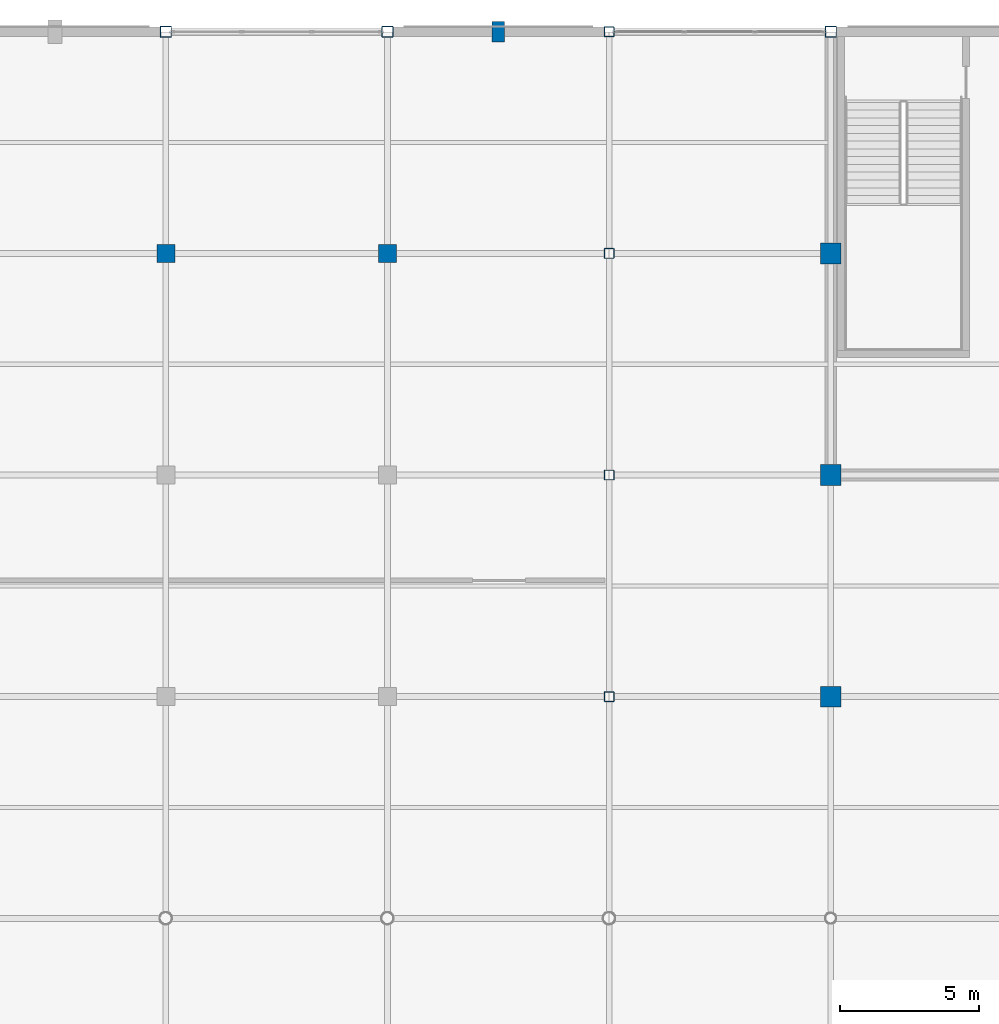
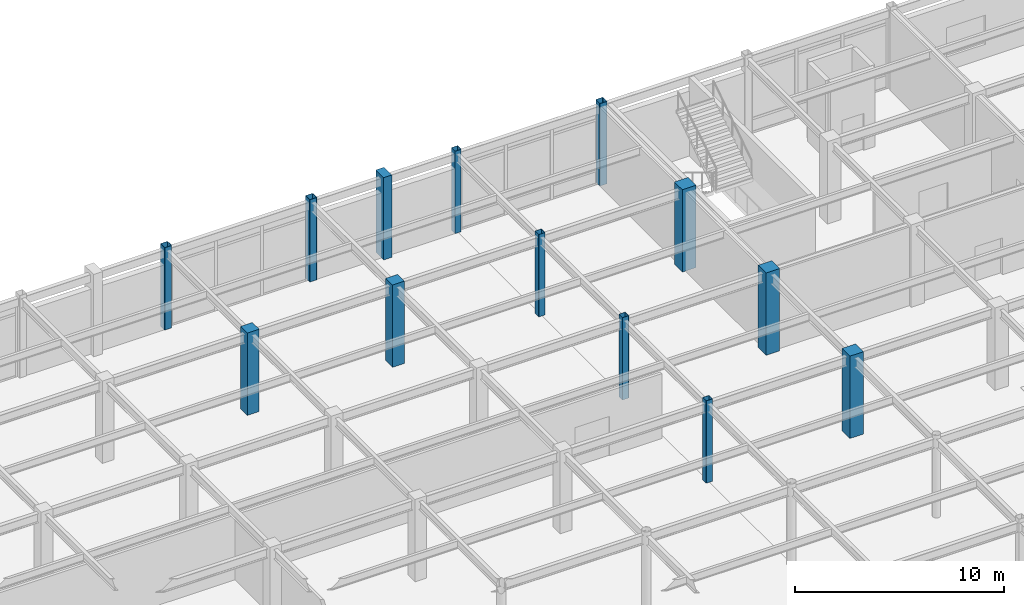
# One storey, part 16 of 117: 13 columns.
"""IFC4 building model written with IfcOpenShell, lengths in metres."""

import ifcopenshell
import ifcopenshell.guid

model = None  # the IFC model being written
_history = None  # IfcOwnerHistory: only IFC2X3 demands one
_inside = {}  # id of a spatial element -> (the spatial element, [elements in it])
_under = {}  # id of a project, library or spatial element -> (it, [spatial elements below it])
_declared = {}  # id of a project -> (the project, [libraries it declares])
_typed = {}  # id of a type object -> (the type object, [elements of that type])
_made_of = {}  # id of a material, layer set ... -> (it, [elements and type objects made of it])


def new_model(schema):
    """Start an empty IFC model of exactly this schema.

    Asked for "IFC4X3", IfcOpenShell would pick the latest addendum, in which some entities
    have other attributes; the version numbers below select the first issue.
    IFC2X3 requires an IfcOwnerHistory on every rooted entity: one is made here for all.
    """
    global model, _history
    if schema == "IFC4X3":
        model = ifcopenshell.file(schema_version=(4, 3, 0, 0))
    else:
        model = ifcopenshell.file(schema=schema)
    _inside.clear()
    _under.clear()
    _declared.clear()
    _typed.clear()
    _made_of.clear()
    _history = None
    if model.schema == "IFC2X3":
        org = make("IfcOrganization", Name="unknown")
        user = make(
            "IfcPersonAndOrganization",
            ThePerson=make("IfcPerson", FamilyName="unknown"),
            TheOrganization=org,
        )
        app = make(
            "IfcApplication",
            ApplicationDeveloper=org,
            Version="unknown",
            ApplicationFullName="unknown",
            ApplicationIdentifier="unknown",
        )
        _history = make(
            "IfcOwnerHistory",
            OwningUser=user,
            OwningApplication=app,
            ChangeAction="ADDED",
            CreationDate=0,
        )
    return model


def make(cls, **values):
    """One entity of the class cls with the attributes given. An attribute that is None is left unset."""
    return model.create_entity(
        cls, **{name: value for name, value in values.items() if value is not None}
    )


def rooted(cls, **values):
    """An entity with a GlobalId (a new one), such as an element, a storey or a relation."""
    return make(cls, GlobalId=ifcopenshell.guid.new(), OwnerHistory=_history, **values)


def si_unit(unit_type, name, prefix=None):
    """IfcSIUnit, for example si_unit("LENGTHUNIT", "METRE", prefix="MILLI")."""
    return make("IfcSIUnit", UnitType=unit_type, Prefix=prefix, Name=name)


def assignment(units):
    """IfcUnitAssignment: the units of a project."""
    return None if units is None else make("IfcUnitAssignment", Units=units)


def point(xyz):
    """IfcCartesianPoint."""
    return None if xyz is None else make("IfcCartesianPoint", Coordinates=xyz)


def direction(xyz):
    """IfcDirection."""
    return None if xyz is None else make("IfcDirection", DirectionRatios=xyz)


def frame(location, z_axis=None, x_axis=None):
    """IfcAxis2Placement3D, a coordinate frame: its origin and axes. An axis left out is left unset."""
    return make(
        "IfcAxis2Placement3D",
        Location=point(location),
        Axis=direction(z_axis),
        RefDirection=direction(x_axis),
    )


def frame_2d(location, x_axis=None):
    """IfcAxis2Placement2D, a coordinate frame in the plane: its origin and x axis."""
    return make(
        "IfcAxis2Placement2D", Location=point(location), RefDirection=direction(x_axis)
    )


def origin():
    """The frame at (0, 0, 0) with its axes left unset."""
    return frame((0.0, 0.0, 0.0))


def origin_2d():
    """The frame at (0, 0) in the plane with its x axis left unset."""
    return frame_2d((0.0, 0.0))


def place(relative_to, where):
    """IfcLocalPlacement: puts the frame where relative to a parent placement (None: the world)."""
    return make(
        "IfcLocalPlacement", PlacementRelTo=relative_to, RelativePlacement=where
    )


def context(
    kind, dimensions, precision=None, world=None, true_north=None, identifier=None
):
    """IfcGeometricRepresentationContext, for example the 3D "Model" context."""
    return make(
        "IfcGeometricRepresentationContext",
        ContextIdentifier=identifier,
        ContextType=kind,
        CoordinateSpaceDimension=dimensions,
        Precision=precision,
        WorldCoordinateSystem=world,
        TrueNorth=true_north,
    )


def subcontext(parent, identifier, kind, view, scale=None):
    """IfcGeometricRepresentationSubContext, for example "Body" below "Model"."""
    return make(
        "IfcGeometricRepresentationSubContext",
        ContextIdentifier=identifier,
        ContextType=kind,
        ParentContext=parent,
        TargetScale=scale,
        TargetView=view,
    )


def project(units=None, contexts=None):
    """IfcProject with its units and contexts."""
    return rooted(
        "IfcProject",
        Name="project",
        RepresentationContexts=contexts,
        UnitsInContext=assignment(units),
    )


def spatial(cls, under=None, at=None, **own):
    """A site, building, storey or space (cls), placed at a placement, below another one or the project."""
    s = rooted(cls, ObjectPlacement=at, **own)
    if under is not None:
        _under.setdefault(under.id(), (under, []))[1].append(s)
    return s


def profile(cls, at=None, kind="AREA", **sizes):
    """A parametric profile (cls). Its sizes go by their IFC names, for example OverallWidth=200.0."""
    return make(cls, ProfileType=kind, Position=at, **sizes)


def rectangle(**sizes):
    """IfcRectangleProfileDef."""
    return profile("IfcRectangleProfileDef", **sizes)


def hollow_rectangle(**sizes):
    """IfcRectangleHollowProfileDef."""
    return profile("IfcRectangleHollowProfileDef", **sizes)


def extrude(swept, where, along, depth):
    """IfcExtrudedAreaSolid: the profile swept, set in the frame where, extruded along a direction by depth."""
    return make(
        "IfcExtrudedAreaSolid",
        SweptArea=swept,
        Position=where,
        ExtrudedDirection=direction(along),
        Depth=depth,
    )


def shape(context_of_items, identifier, shape_type, items):
    """IfcShapeRepresentation: the items that make up one representation, for example the "Body"."""
    return make(
        "IfcShapeRepresentation",
        ContextOfItems=context_of_items,
        RepresentationIdentifier=identifier,
        RepresentationType=shape_type,
        Items=items,
    )


def material(Name=None, Category=None):
    """IfcMaterial."""
    return make("IfcMaterial", Name=Name, Category=Category)


def material_profile(
    of_material, cross_section, Name=None, Category=None, Priority=None
):
    """IfcMaterialProfile: a cross section and its material."""
    return make(
        "IfcMaterialProfile",
        Name=Name,
        Material=of_material,
        Profile=cross_section,
        Priority=Priority,
        Category=Category,
    )


def profile_set(profiles, Name=None, composite=None):
    """IfcMaterialProfileSet."""
    return make(
        "IfcMaterialProfileSet",
        Name=Name,
        MaterialProfiles=profiles,
        CompositeProfile=composite,
    )


def made_of(thing, what):
    """Note that an element or type object is made of a material, layer set ...; save() writes the relation."""
    if what is not None:
        _made_of.setdefault(what.id(), (what, []))[1].append(thing)
    return thing


def type_object(cls, material=None, **own):
    """A type object (cls), such as IfcWallType, which elements share."""
    return made_of(rooted(cls, **own), material)


def element(
    cls,
    number,
    at=None,
    inside=None,
    cuts=None,
    type_object=None,
    material=None,
    context=None,
    identifier="Body",
    shape_type=None,
    held_by="IfcProductDefinitionShape",
    body=None,
    shapes=None,
    **own,
):
    """One element of the class cls, such as IfcWall. Its Tag is "e" and its number.

    at: its placement. inside: the storey or other place that contains it. cuts: it is an
    opening in that element (IfcRelVoidsElement). A single representation is given by context,
    identifier, shape_type and body (its items); several are given by shapes. held_by: the class
    of the entity that holds the representations. save() writes the other relations.
    """
    e = rooted(cls, Tag="e%d" % number, ObjectPlacement=at, **own)
    if body is not None:
        shapes = [shape(context, identifier, shape_type, body)]
    if shapes is not None:
        e.Representation = make(held_by, Representations=shapes)
    if inside is not None:
        _inside.setdefault(inside.id(), (inside, []))[1].append(e)
    if cuts is not None:
        rooted(
            "IfcRelVoidsElement", RelatingBuildingElement=cuts, RelatedOpeningElement=e
        )
    if type_object is not None:
        _typed.setdefault(type_object.id(), (type_object, []))[1].append(e)
    return made_of(e, material)


def aggregate(whole, parts):
    """IfcRelAggregates: a whole, such as a stair, and the parts it consists of."""
    return rooted("IfcRelAggregates", RelatingObject=whole, RelatedObjects=parts)


def save(model, path):
    """Write the relations noted so far, then the file.

    IfcRelAggregates (storeys below a building ...), IfcRelContainedInSpatialStructure (elements
    in a storey), IfcRelDefinesByType, IfcRelAssociatesMaterial and IfcRelDeclares: one each for
    every whole, place, type object, material and project.
    """
    for whole, parts in _under.values():
        aggregate(whole, parts)
    for where, things in _inside.values():
        rooted(
            "IfcRelContainedInSpatialStructure",
            RelatedElements=things,
            RelatingStructure=where,
        )
    for kind, things in _typed.values():
        rooted("IfcRelDefinesByType", RelatedObjects=things, RelatingType=kind)
    for what, things in _made_of.values():
        rooted("IfcRelAssociatesMaterial", RelatedObjects=things, RelatingMaterial=what)
    for by, libraries in _declared.values():
        rooted("IfcRelDeclares", RelatingContext=by, RelatedDefinitions=libraries)
    model.write(path)


model = new_model("IFC4")

# Units and contexts
model_context = context("Model", 3, precision=1e-05, world=origin(), true_north=direction((0.0, 1.0)))
body_context = subcontext(model_context, "Body", "Model", "MODEL_VIEW")
ifc_project = project(units=[si_unit("LENGTHUNIT", "METRE"), si_unit("AREAUNIT", "SQUARE_METRE"), si_unit("VOLUMEUNIT", "CUBIC_METRE"), si_unit("PLANEANGLEUNIT", "RADIAN"), si_unit("MASSUNIT", "GRAM", prefix="KILO")], contexts=[model_context])

# Site, building, storey
site_placement = place(None, origin())
site = spatial("IfcSite", under=ifc_project, at=site_placement, CompositionType="ELEMENT")
building_placement = place(site_placement, origin())
building = spatial("IfcBuilding", under=site, at=building_placement, Name="Solmirada Galleria", CompositionType="ELEMENT")
storey_placement = place(building_placement, frame((0.0, 0.0, 5.60009765625)))
storey = spatial("IfcBuildingStorey", under=building, at=storey_placement, Name="L01", CompositionType="ELEMENT", Elevation=5.60009765625)

# Columns
ifc_material_1 = material(Name="Steel S355 / ASTM A500 Grade C", Category="steel")
ifc_material_profile_1 = material_profile(ifc_material_1, hollow_rectangle(XDim=0.35595703125, YDim=0.35595703125, WallThickness=0.01171875, InnerFilletRadius=0.01171875, OuterFilletRadius=0.023681640625, at=origin_2d()), Name="HSS14X14X1/2")
ifc_profile_set_1 = profile_set([ifc_material_profile_1], Name="Steel S355 / ASTM A500 Grade C")
column_type_1 = type_object("IfcColumnType", Name="COL-HSS14", PredefinedType="COLUMN", material=ifc_profile_set_1)
for number, where, z_axis, x_axis, name in (
    (1, (120.0, 96.0, 0.0), (0.0, 0.0, 1.0), (1.0, 0.0, 0.0), "Structural column L01-0985"),
    (2, (120.0, 104.0, 0.0), (0.0, 0.0, 1.0), (1.0, 0.0, 0.0), "Structural column L01-0990"),
    (3, (120.0, 112.0, 0.0), (0.0, 0.0, 1.0), (1.0, 0.0, 0.0), "Structural column L01-0995"),
    (4, (120.0, 120.0, 0.0), (0.0, 0.0, 1.0), (1.0, 0.0, 0.0), "Structural column L01-1000"),
):
    element("IfcColumn", number, at=place(storey_placement, frame(where, z_axis=z_axis, x_axis=x_axis)), inside=storey, type_object=column_type_1, Name=name, PredefinedType="COLUMN", context=body_context, shape_type="SweptSolid", body=[
        extrude(hollow_rectangle(XDim=0.35595703125, YDim=0.35595703125, WallThickness=0.01171875, InnerFilletRadius=0.01171875, OuterFilletRadius=0.023681640625, at=origin_2d()), origin(), (0.0, 0.0, 1.0), 4.7998046875),
    ])
ifc_material_profile_2 = material_profile(ifc_material_1, hollow_rectangle(XDim=0.406005859375, YDim=0.406005859375, WallThickness=0.0146484375, InnerFilletRadius=0.0146484375, OuterFilletRadius=0.029296875, at=origin_2d()), Name="HSS16X16X5/8")
ifc_profile_set_2 = profile_set([ifc_material_profile_2], Name="Steel S355 / ASTM A500 Grade C")
column_type_2 = type_object("IfcColumnType", Name="COL-HSS16", PredefinedType="COLUMN", material=ifc_profile_set_2)
for number, where, z_axis, x_axis, name in (
    (5, (104.0, 120.0, 0.0), (0.0, 0.0, 1.0), (1.0, 0.0, 0.0), "Structural column L01-0798"),
    (6, (112.0, 120.0, 0.0), (0.0, 0.0, 1.0), (1.0, 0.0, 0.0), "Structural column L01-0915"),
    (7, (128.0, 120.0, 0.0), (0.0, 0.0, 1.0), (1.0, 0.0, 0.0), "Structural column L01-1097"),
):
    element("IfcColumn", number, at=place(storey_placement, frame(where, z_axis=z_axis, x_axis=x_axis)), inside=storey, type_object=column_type_2, Name=name, PredefinedType="COLUMN", context=body_context, shape_type="SweptSolid", body=[
        extrude(hollow_rectangle(XDim=0.406005859375, YDim=0.406005859375, WallThickness=0.0146484375, InnerFilletRadius=0.0146484375, OuterFilletRadius=0.029296875, at=origin_2d()), origin(), (0.0, 0.0, 1.0), 4.7998046875),
    ])
ifc_material_2 = material(Name="Concrete C40/50", Category="concrete")
ifc_material_profile_3 = material_profile(ifc_material_2, rectangle(XDim=0.64990234375, YDim=0.64990234375, at=origin_2d()), Name="RC650X650")
ifc_profile_set_3 = profile_set([ifc_material_profile_3], Name="Concrete C40/50")
column_type_3 = type_object("IfcColumnType", Name="COL-RC650", PredefinedType="COLUMN", material=ifc_profile_set_3)
for number, where, z_axis, x_axis, name in (
    (8, (104.0, 112.0, 0.0), (0.0, 0.0, 1.0), (1.0, 0.0, 0.0), "Structural column L01-0791"),
    (9, (112.0, 112.0, 0.0), (0.0, 0.0, 1.0), (1.0, 0.0, 0.0), "Structural column L01-0908"),
):
    element("IfcColumn", number, at=place(storey_placement, frame(where, z_axis=z_axis, x_axis=x_axis)), inside=storey, type_object=column_type_3, Name=name, PredefinedType="COLUMN", context=body_context, shape_type="SweptSolid", body=[
        extrude(rectangle(XDim=0.64990234375, YDim=0.64990234375, at=origin_2d()), origin(), (0.0, 0.0, 1.0), 4.7998046875),
    ])
ifc_material_profile_4 = material_profile(ifc_material_2, rectangle(XDim=0.75, YDim=0.75, at=origin_2d()), Name="RC750X750")
ifc_profile_set_4 = profile_set([ifc_material_profile_4], Name="Concrete C40/50")
column_type_4 = type_object("IfcColumnType", Name="COL-RC750", PredefinedType="COLUMN", material=ifc_profile_set_4)
for number, where, z_axis, x_axis, name in (
    (10, (128.0, 96.0, 0.0), (0.0, 0.0, 1.0), (1.0, 0.0, 0.0), "Structural column L01-1070"),
    (11, (128.0, 104.0, 0.0), (0.0, 0.0, 1.0), (1.0, 0.0, 0.0), "Structural column L01-1079"),
    (12, (128.0, 112.0, 0.0), (0.0, 0.0, 1.0), (1.0, 0.0, 0.0), "Structural column L01-1088"),
):
    element("IfcColumn", number, at=place(storey_placement, frame(where, z_axis=z_axis, x_axis=x_axis)), inside=storey, type_object=column_type_4, Name=name, PredefinedType="COLUMN", context=body_context, shape_type="SweptSolid", body=[
        extrude(rectangle(XDim=0.75, YDim=0.75, at=origin_2d()), origin(), (0.0, 0.0, 1.0), 4.7998046875),
    ])
ifc_material_3 = material(Name="Precast concrete C40/50", Category="concrete")
ifc_material_profile_5 = material_profile(ifc_material_3, rectangle(XDim=0.449951171875, YDim=0.75, at=origin_2d()), Name="RC750X450")
ifc_profile_set_5 = profile_set([ifc_material_profile_5], Name="Precast concrete C40/50")
column_type_5 = type_object("IfcColumnType", Name="PIL-RC750", PredefinedType="PILASTER", material=ifc_profile_set_5)
column_placement = place(storey_placement, frame((116.0, 120.0, 0.0), z_axis=(0.0, 0.0, 1.0), x_axis=(1.0, 0.0, 0.0)))
element("IfcColumn", 13, at=column_placement, inside=storey, type_object=column_type_5, Name="Avenue pilaster L01-015", PredefinedType="PILASTER", context=body_context, shape_type="SweptSolid", body=[
    extrude(rectangle(XDim=0.449951171875, YDim=0.75, at=origin_2d()), origin(), (0.0, 0.0, 1.0), 4.7998046875),
])

save(model, "model.ifc")
